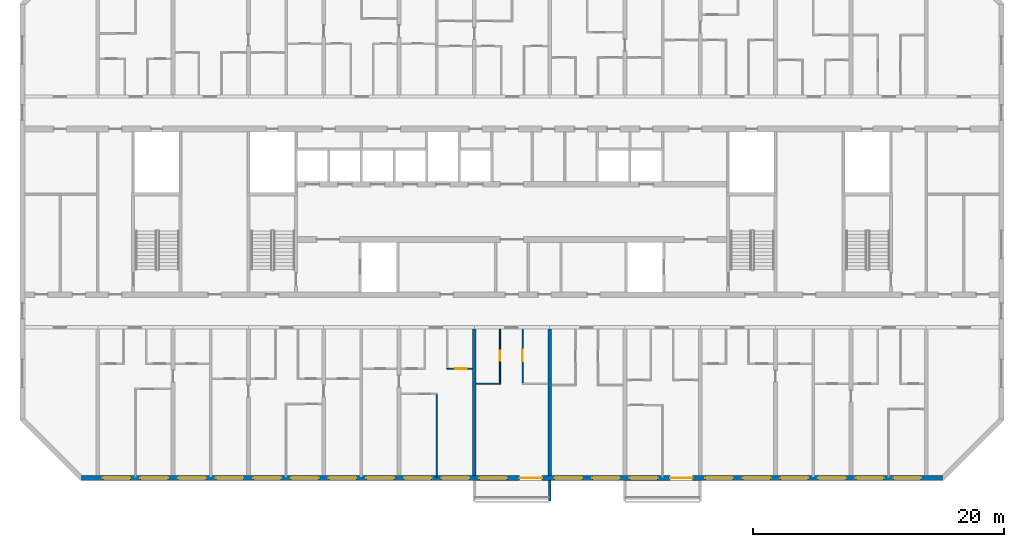
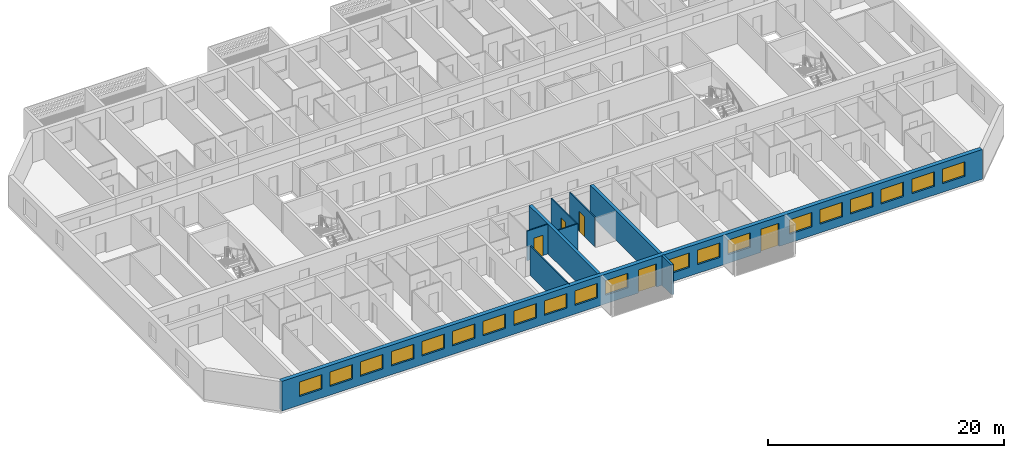
# One storey, part 4 of 31: 20 windows, 9 walls, 5 doors, 25 openings.
"""IFC4 building model written with IfcOpenShell, lengths in metres."""

from ifc_helpers import new_model, si_unit, direction, frame, frame_2d, origin, place, context, subcontext, project, spatial, polyline, rectangle, outline, extrude, source, transform, mapped, material, layer, layer_set, type_object, element, fill, save


model = new_model("IFC4")

# Units and contexts
model_context = context("Model", 3, precision=1e-05, world=origin(), true_north=direction((0.0, 1.0)))
body_context = subcontext(model_context, "Body", "Model", "MODEL_VIEW")
ifc_project = project(units=[si_unit("LENGTHUNIT", "METRE"), si_unit("AREAUNIT", "SQUARE_METRE"), si_unit("VOLUMEUNIT", "CUBIC_METRE"), si_unit("PLANEANGLEUNIT", "RADIAN"), si_unit("MASSUNIT", "GRAM", prefix="KILO")], contexts=[model_context])

# Site, building, storey
site_placement = place(None, origin())
site = spatial("IfcSite", under=ifc_project, at=site_placement, CompositionType="ELEMENT")
building_placement = place(site_placement, origin())
building = spatial("IfcBuilding", under=site, at=building_placement, Name="Poui Terraces", CompositionType="ELEMENT")
storey_placement = place(building_placement, frame((0.0, 0.0, 145.5)))
storey = spatial("IfcBuildingStorey", under=building, at=storey_placement, Name="L40", CompositionType="ELEMENT", Elevation=145.5)

# Walls
ifc_material_1 = material(Name="Concrete 65 MPa", Category="concrete")
ifc_layer_1 = layer(ifc_material_1, 0.300048828125)
ifc_layer_set_1 = layer_set([ifc_layer_1], Name="Concrete 65 MPa")
wall_type_1 = type_object("IfcWallType", Name="CROSS WALL 300 65MPa", PredefinedType="SHEAR", material=ifc_layer_set_1)
for number, where, z_axis, x_axis, name in (
    (1, (48.0, 0.199951171875, 0.0), (0.0, 0.0, 1.0), (0.0, 1.0, 0.0), "CROSS WALL LINE 9 SOUTH"),
    (2, (54.0, 0.199951171875, 0.0), (0.0, 0.0, 1.0), (0.0, 1.0, 0.0), "CROSS WALL LINE 10 SOUTH"),
):
    element("IfcWall", number, at=place(storey_placement, frame(where, z_axis=z_axis, x_axis=x_axis)), inside=storey, type_object=wall_type_1, Name=name, PredefinedType="SHEAR", context=body_context, shape_type="SweptSolid", body=[
        extrude(rectangle(XDim=11.675048828125, YDim=0.300048828125, at=frame_2d((5.83740234375, 0.0))), origin(), (0.0, 0.0, 1.0), 3.070068359375),
    ])

# Wall, openings, doors, windows
ifc_material_2 = material(Name="Precast concrete 40 MPa", Category="concrete")
ifc_layer_2 = layer(ifc_material_2, 0.39990234375)
ifc_layer_set_2 = layer_set([ifc_layer_2], Name="Precast concrete 40 MPa")
wall_type_2 = type_object("IfcWallType", Name="EXTERNAL WALL 400", PredefinedType="STANDARD", material=ifc_layer_set_2)
wall_1_placement = place(storey_placement, frame((16.682861328125, 0.0, 0.0), z_axis=(0.0, 0.0, 1.0), x_axis=(1.0, 0.0, 0.0)))
wall_1 = element("IfcWall", 3, at=wall_1_placement, inside=storey, type_object=wall_type_2, Name="EXTERNAL WALL S", PredefinedType="STANDARD", context=body_context, shape_type="SweptSolid", body=[
    extrude(rectangle(XDim=68.63427734375, YDim=0.39990234375, at=frame_2d((34.317138671875, 0.0))), origin(), (0.0, 0.0, 1.0), 3.070068359375),
])
opening_1_placement = place(wall_1_placement, frame((1.71728515625, 0.0, 0.89990234375)))
opening_1 = element("IfcOpeningElement", 4, at=opening_1_placement, cuts=wall_1, Name="Opening W1", PredefinedType="OPENING", context=body_context, shape_type="SweptSolid", body=[
    extrude(rectangle(XDim=2.199951171875, YDim=1.5, at=frame_2d((1.10009765625, 0.75))), frame((0.0, 0.2099609375, 0.0), z_axis=(0.0, -1.0, 0.0), x_axis=(1.0, 0.0, 0.0)), (0.0, 0.0, 1.0), 0.419921875),
])
opening_2_placement = place(wall_1_placement, frame((4.71728515625, 0.0, 0.89990234375)))
opening_2 = element("IfcOpeningElement", 5, at=opening_2_placement, cuts=wall_1, Name="Opening W1", PredefinedType="OPENING", context=body_context, shape_type="SweptSolid", body=[
    extrude(rectangle(XDim=2.199951171875, YDim=1.5, at=frame_2d((1.10009765625, 0.75))), frame((0.0, 0.2099609375, 0.0), z_axis=(0.0, -1.0, 0.0), x_axis=(1.0, 0.0, 0.0)), (0.0, 0.0, 1.0), 0.419921875),
])
opening_3_placement = place(wall_1_placement, frame((7.71728515625, 0.0, 0.89990234375)))
opening_3 = element("IfcOpeningElement", 6, at=opening_3_placement, cuts=wall_1, Name="Opening W1", PredefinedType="OPENING", context=body_context, shape_type="SweptSolid", body=[
    extrude(rectangle(XDim=2.199951171875, YDim=1.5, at=frame_2d((1.10009765625, 0.75))), frame((0.0, 0.2099609375, 0.0), z_axis=(0.0, -1.0, 0.0), x_axis=(1.0, 0.0, 0.0)), (0.0, 0.0, 1.0), 0.419921875),
])
opening_4_placement = place(wall_1_placement, frame((10.71728515625, 0.0, 0.89990234375)))
opening_4 = element("IfcOpeningElement", 7, at=opening_4_placement, cuts=wall_1, Name="Opening W1", PredefinedType="OPENING", context=body_context, shape_type="SweptSolid", body=[
    extrude(rectangle(XDim=2.199951171875, YDim=1.5, at=frame_2d((1.10009765625, 0.75))), frame((0.0, 0.2099609375, 0.0), z_axis=(0.0, -1.0, 0.0), x_axis=(1.0, 0.0, 0.0)), (0.0, 0.0, 1.0), 0.419921875),
])
opening_5_placement = place(wall_1_placement, frame((13.71728515625, 0.0, 0.89990234375)))
opening_5 = element("IfcOpeningElement", 8, at=opening_5_placement, cuts=wall_1, Name="Opening W1", PredefinedType="OPENING", context=body_context, shape_type="SweptSolid", body=[
    extrude(rectangle(XDim=2.199951171875, YDim=1.5, at=frame_2d((1.10009765625, 0.75))), frame((0.0, 0.2099609375, 0.0), z_axis=(0.0, -1.0, 0.0), x_axis=(1.0, 0.0, 0.0)), (0.0, 0.0, 1.0), 0.419921875),
])
opening_6_placement = place(wall_1_placement, frame((16.71728515625, 0.0, 0.89990234375)))
opening_6 = element("IfcOpeningElement", 9, at=opening_6_placement, cuts=wall_1, Name="Opening W1", PredefinedType="OPENING", context=body_context, shape_type="SweptSolid", body=[
    extrude(rectangle(XDim=2.199951171875, YDim=1.5, at=frame_2d((1.10009765625, 0.75))), frame((0.0, 0.2099609375, 0.0), z_axis=(0.0, -1.0, 0.0), x_axis=(1.0, 0.0, 0.0)), (0.0, 0.0, 1.0), 0.419921875),
])
opening_7_placement = place(wall_1_placement, frame((19.71728515625, 0.0, 0.89990234375)))
opening_7 = element("IfcOpeningElement", 10, at=opening_7_placement, cuts=wall_1, Name="Opening W1", PredefinedType="OPENING", context=body_context, shape_type="SweptSolid", body=[
    extrude(rectangle(XDim=2.199951171875, YDim=1.5, at=frame_2d((1.10009765625, 0.75))), frame((0.0, 0.2099609375, 0.0), z_axis=(0.0, -1.0, 0.0), x_axis=(1.0, 0.0, 0.0)), (0.0, 0.0, 1.0), 0.419921875),
])
opening_8_placement = place(wall_1_placement, frame((22.71728515625, 0.0, 0.89990234375)))
opening_8 = element("IfcOpeningElement", 11, at=opening_8_placement, cuts=wall_1, Name="Opening W1", PredefinedType="OPENING", context=body_context, shape_type="SweptSolid", body=[
    extrude(rectangle(XDim=2.199951171875, YDim=1.5, at=frame_2d((1.10009765625, 0.75))), frame((0.0, 0.2099609375, 0.0), z_axis=(0.0, -1.0, 0.0), x_axis=(1.0, 0.0, 0.0)), (0.0, 0.0, 1.0), 0.419921875),
])
opening_9_placement = place(wall_1_placement, frame((25.71728515625, 0.0, 0.89990234375)))
opening_9 = element("IfcOpeningElement", 12, at=opening_9_placement, cuts=wall_1, Name="Opening W1", PredefinedType="OPENING", context=body_context, shape_type="SweptSolid", body=[
    extrude(rectangle(XDim=2.199951171875, YDim=1.5, at=frame_2d((1.10009765625, 0.75))), frame((0.0, 0.2099609375, 0.0), z_axis=(0.0, -1.0, 0.0), x_axis=(1.0, 0.0, 0.0)), (0.0, 0.0, 1.0), 0.419921875),
])
opening_10_placement = place(wall_1_placement, frame((28.71728515625, 0.0, 0.89990234375)))
opening_10 = element("IfcOpeningElement", 13, at=opening_10_placement, cuts=wall_1, Name="Opening W1", PredefinedType="OPENING", context=body_context, shape_type="SweptSolid", body=[
    extrude(rectangle(XDim=2.199951171875, YDim=1.5, at=frame_2d((1.10009765625, 0.75))), frame((0.0, 0.2099609375, 0.0), z_axis=(0.0, -1.0, 0.0), x_axis=(1.0, 0.0, 0.0)), (0.0, 0.0, 1.0), 0.419921875),
])
opening_11_placement = place(wall_1_placement, frame((31.71728515625, 0.0, 0.89990234375)))
opening_11 = element("IfcOpeningElement", 14, at=opening_11_placement, cuts=wall_1, Name="Opening W1", PredefinedType="OPENING", context=body_context, shape_type="SweptSolid", body=[
    extrude(rectangle(XDim=2.199951171875, YDim=1.5, at=frame_2d((1.10009765625, 0.75))), frame((0.0, 0.2099609375, 0.0), z_axis=(0.0, -1.0, 0.0), x_axis=(1.0, 0.0, 0.0)), (0.0, 0.0, 1.0), 0.419921875),
])
opening_12_placement = place(wall_1_placement, frame((34.917236328125, 0.0, 0.0)))
opening_12 = element("IfcOpeningElement", 15, at=opening_12_placement, cuts=wall_1, Name="Opening BD1", PredefinedType="OPENING", context=body_context, shape_type="SweptSolid", body=[
    extrude(rectangle(XDim=1.800048828125, YDim=2.39990234375, at=frame_2d((0.89990234375, 1.199951171875))), frame((0.0, 0.2099609375, 0.0), z_axis=(0.0, -1.0, 0.0), x_axis=(1.0, 0.0, 0.0)), (0.0, 0.0, 1.0), 0.419921875),
])
opening_13_placement = place(wall_1_placement, frame((37.71728515625, 0.0, 0.89990234375)))
opening_13 = element("IfcOpeningElement", 16, at=opening_13_placement, cuts=wall_1, Name="Opening W1", PredefinedType="OPENING", context=body_context, shape_type="SweptSolid", body=[
    extrude(rectangle(XDim=2.199951171875, YDim=1.5, at=frame_2d((1.10009765625, 0.75))), frame((0.0, 0.2099609375, 0.0), z_axis=(0.0, -1.0, 0.0), x_axis=(1.0, 0.0, 0.0)), (0.0, 0.0, 1.0), 0.419921875),
])
opening_14_placement = place(wall_1_placement, frame((40.71728515625, 0.0, 0.89990234375)))
opening_14 = element("IfcOpeningElement", 17, at=opening_14_placement, cuts=wall_1, Name="Opening W1", PredefinedType="OPENING", context=body_context, shape_type="SweptSolid", body=[
    extrude(rectangle(XDim=2.199951171875, YDim=1.5, at=frame_2d((1.10009765625, 0.75))), frame((0.0, 0.2099609375, 0.0), z_axis=(0.0, -1.0, 0.0), x_axis=(1.0, 0.0, 0.0)), (0.0, 0.0, 1.0), 0.419921875),
])
opening_15_placement = place(wall_1_placement, frame((43.71728515625, 0.0, 0.89990234375)))
opening_15 = element("IfcOpeningElement", 18, at=opening_15_placement, cuts=wall_1, Name="Opening W1", PredefinedType="OPENING", context=body_context, shape_type="SweptSolid", body=[
    extrude(rectangle(XDim=2.199951171875, YDim=1.5, at=frame_2d((1.10009765625, 0.75))), frame((0.0, 0.2099609375, 0.0), z_axis=(0.0, -1.0, 0.0), x_axis=(1.0, 0.0, 0.0)), (0.0, 0.0, 1.0), 0.419921875),
])
opening_16_placement = place(wall_1_placement, frame((46.917236328125, 0.0, 0.0)))
opening_16 = element("IfcOpeningElement", 19, at=opening_16_placement, cuts=wall_1, Name="Opening BD1", PredefinedType="OPENING", context=body_context, shape_type="SweptSolid", body=[
    extrude(rectangle(XDim=1.800048828125, YDim=2.39990234375, at=frame_2d((0.89990234375, 1.199951171875))), frame((0.0, 0.2099609375, 0.0), z_axis=(0.0, -1.0, 0.0), x_axis=(1.0, 0.0, 0.0)), (0.0, 0.0, 1.0), 0.419921875),
])
opening_17_placement = place(wall_1_placement, frame((49.71728515625, 0.0, 0.89990234375)))
opening_17 = element("IfcOpeningElement", 20, at=opening_17_placement, cuts=wall_1, Name="Opening W1", PredefinedType="OPENING", context=body_context, shape_type="SweptSolid", body=[
    extrude(rectangle(XDim=2.199951171875, YDim=1.5, at=frame_2d((1.10009765625, 0.75))), frame((0.0, 0.2099609375, 0.0), z_axis=(0.0, -1.0, 0.0), x_axis=(1.0, 0.0, 0.0)), (0.0, 0.0, 1.0), 0.419921875),
])
opening_18_placement = place(wall_1_placement, frame((52.71728515625, 0.0, 0.89990234375)))
opening_18 = element("IfcOpeningElement", 21, at=opening_18_placement, cuts=wall_1, Name="Opening W1", PredefinedType="OPENING", context=body_context, shape_type="SweptSolid", body=[
    extrude(rectangle(XDim=2.199951171875, YDim=1.5, at=frame_2d((1.10009765625, 0.75))), frame((0.0, 0.2099609375, 0.0), z_axis=(0.0, -1.0, 0.0), x_axis=(1.0, 0.0, 0.0)), (0.0, 0.0, 1.0), 0.419921875),
])
opening_19_placement = place(wall_1_placement, frame((55.71728515625, 0.0, 0.89990234375)))
opening_19 = element("IfcOpeningElement", 22, at=opening_19_placement, cuts=wall_1, Name="Opening W1", PredefinedType="OPENING", context=body_context, shape_type="SweptSolid", body=[
    extrude(rectangle(XDim=2.199951171875, YDim=1.5, at=frame_2d((1.10009765625, 0.75))), frame((0.0, 0.2099609375, 0.0), z_axis=(0.0, -1.0, 0.0), x_axis=(1.0, 0.0, 0.0)), (0.0, 0.0, 1.0), 0.419921875),
])
opening_20_placement = place(wall_1_placement, frame((58.71728515625, 0.0, 0.89990234375)))
opening_20 = element("IfcOpeningElement", 23, at=opening_20_placement, cuts=wall_1, Name="Opening W1", PredefinedType="OPENING", context=body_context, shape_type="SweptSolid", body=[
    extrude(rectangle(XDim=2.199951171875, YDim=1.5, at=frame_2d((1.10009765625, 0.75))), frame((0.0, 0.2099609375, 0.0), z_axis=(0.0, -1.0, 0.0), x_axis=(1.0, 0.0, 0.0)), (0.0, 0.0, 1.0), 0.419921875),
])
opening_21_placement = place(wall_1_placement, frame((61.71728515625, 0.0, 0.89990234375)))
opening_21 = element("IfcOpeningElement", 24, at=opening_21_placement, cuts=wall_1, Name="Opening W1", PredefinedType="OPENING", context=body_context, shape_type="SweptSolid", body=[
    extrude(rectangle(XDim=2.199951171875, YDim=1.5, at=frame_2d((1.10009765625, 0.75))), frame((0.0, 0.2099609375, 0.0), z_axis=(0.0, -1.0, 0.0), x_axis=(1.0, 0.0, 0.0)), (0.0, 0.0, 1.0), 0.419921875),
])
opening_22_placement = place(wall_1_placement, frame((64.71728515625, 0.0, 0.89990234375)))
opening_22 = element("IfcOpeningElement", 25, at=opening_22_placement, cuts=wall_1, Name="Opening W1", PredefinedType="OPENING", context=body_context, shape_type="SweptSolid", body=[
    extrude(rectangle(XDim=2.199951171875, YDim=1.5, at=frame_2d((1.10009765625, 0.75))), frame((0.0, 0.2099609375, 0.0), z_axis=(0.0, -1.0, 0.0), x_axis=(1.0, 0.0, 0.0)), (0.0, 0.0, 1.0), 0.419921875),
])
ifc_material_3 = material(Name="Clear glass in aluminium frame", Category="aluminium")
door_type_1 = type_object("IfcDoorType", Name="BALCONY DOOR 1800X2400", OperationType="DOUBLE_DOOR_SLIDING", PredefinedType="DOOR", material=ifc_material_3)
door_1_placement = place(opening_12_placement, origin())
door_1 = element("IfcDoor", 26, at=door_1_placement, inside=storey, type_object=door_type_1, Name="BD1 BALCONY DOOR", OperationType="DOUBLE_DOOR_SLIDING", OverallHeight=2.39990234375, OverallWidth=1.800048828125, PredefinedType="DOOR", context=body_context, shape_type="SweptSolid", body=[
    extrude(rectangle(XDim=1.800048828125, YDim=2.39990234375, at=frame_2d((0.89990234375, 1.199951171875))), frame((0.0, 0.02490234375, 0.0), z_axis=(0.0, -1.0, 0.0), x_axis=(1.0, 0.0, 0.0)), (0.0, 0.0, 1.0), 0.050048828125),
])
fill(opening_12, door_1)
door_2_placement = place(opening_16_placement, origin())
door_2 = element("IfcDoor", 27, at=door_2_placement, inside=storey, type_object=door_type_1, Name="BD1 BALCONY DOOR", OperationType="DOUBLE_DOOR_SLIDING", OverallHeight=2.39990234375, OverallWidth=1.800048828125, PredefinedType="DOOR", context=body_context, shape_type="SweptSolid", body=[
    extrude(rectangle(XDim=1.800048828125, YDim=2.39990234375, at=frame_2d((0.89990234375, 1.199951171875))), frame((0.0, 0.02490234375, 0.0), z_axis=(0.0, -1.0, 0.0), x_axis=(1.0, 0.0, 0.0)), (0.0, 0.0, 1.0), 0.050048828125),
])
fill(opening_16, door_2)
window_type = type_object("IfcWindowType", Name="WINDOW 2200X1500", PartitioningType="DOUBLE_PANEL_HORIZONTAL", PredefinedType="WINDOW", material=ifc_material_3)
window_1_placement = place(opening_1_placement, origin())
window_1 = element("IfcWindow", 28, at=window_1_placement, inside=storey, type_object=window_type, Name="W1 WINDOW", OverallHeight=1.5, OverallWidth=2.199951171875, PartitioningType="DOUBLE_PANEL_HORIZONTAL", PredefinedType="WINDOW", context=body_context, shape_type="SweptSolid", body=[
    extrude(rectangle(XDim=2.199951171875, YDim=1.5, at=frame_2d((1.10009765625, 0.75))), frame((0.0, 0.030029296875, 0.0), z_axis=(0.0, -1.0, 0.0), x_axis=(1.0, 0.0, 0.0)), (0.0, 0.0, 1.0), 0.06005859375),
])
fill(opening_1, window_1)
window_2_placement = place(opening_2_placement, origin())
window_2 = element("IfcWindow", 29, at=window_2_placement, inside=storey, type_object=window_type, Name="W1 WINDOW", OverallHeight=1.5, OverallWidth=2.199951171875, PartitioningType="DOUBLE_PANEL_HORIZONTAL", PredefinedType="WINDOW", context=body_context, shape_type="SweptSolid", body=[
    extrude(rectangle(XDim=2.199951171875, YDim=1.5, at=frame_2d((1.10009765625, 0.75))), frame((0.0, 0.030029296875, 0.0), z_axis=(0.0, -1.0, 0.0), x_axis=(1.0, 0.0, 0.0)), (0.0, 0.0, 1.0), 0.06005859375),
])
fill(opening_2, window_2)
window_3_placement = place(opening_3_placement, origin())
window_3 = element("IfcWindow", 30, at=window_3_placement, inside=storey, type_object=window_type, Name="W1 WINDOW", OverallHeight=1.5, OverallWidth=2.199951171875, PartitioningType="DOUBLE_PANEL_HORIZONTAL", PredefinedType="WINDOW", context=body_context, shape_type="SweptSolid", body=[
    extrude(rectangle(XDim=2.199951171875, YDim=1.5, at=frame_2d((1.10009765625, 0.75))), frame((0.0, 0.030029296875, 0.0), z_axis=(0.0, -1.0, 0.0), x_axis=(1.0, 0.0, 0.0)), (0.0, 0.0, 1.0), 0.06005859375),
])
fill(opening_3, window_3)
window_4_placement = place(opening_4_placement, origin())
window_4 = element("IfcWindow", 31, at=window_4_placement, inside=storey, type_object=window_type, Name="W1 WINDOW", OverallHeight=1.5, OverallWidth=2.199951171875, PartitioningType="DOUBLE_PANEL_HORIZONTAL", PredefinedType="WINDOW", context=body_context, shape_type="SweptSolid", body=[
    extrude(rectangle(XDim=2.199951171875, YDim=1.5, at=frame_2d((1.10009765625, 0.75))), frame((0.0, 0.030029296875, 0.0), z_axis=(0.0, -1.0, 0.0), x_axis=(1.0, 0.0, 0.0)), (0.0, 0.0, 1.0), 0.06005859375),
])
fill(opening_4, window_4)
window_5_placement = place(opening_5_placement, origin())
window_5 = element("IfcWindow", 32, at=window_5_placement, inside=storey, type_object=window_type, Name="W1 WINDOW", OverallHeight=1.5, OverallWidth=2.199951171875, PartitioningType="DOUBLE_PANEL_HORIZONTAL", PredefinedType="WINDOW", context=body_context, shape_type="SweptSolid", body=[
    extrude(rectangle(XDim=2.199951171875, YDim=1.5, at=frame_2d((1.10009765625, 0.75))), frame((0.0, 0.030029296875, 0.0), z_axis=(0.0, -1.0, 0.0), x_axis=(1.0, 0.0, 0.0)), (0.0, 0.0, 1.0), 0.06005859375),
])
fill(opening_5, window_5)
window_6_placement = place(opening_6_placement, origin())
window_6 = element("IfcWindow", 33, at=window_6_placement, inside=storey, type_object=window_type, Name="W1 WINDOW", OverallHeight=1.5, OverallWidth=2.199951171875, PartitioningType="DOUBLE_PANEL_HORIZONTAL", PredefinedType="WINDOW", context=body_context, shape_type="SweptSolid", body=[
    extrude(rectangle(XDim=2.199951171875, YDim=1.5, at=frame_2d((1.10009765625, 0.75))), frame((0.0, 0.030029296875, 0.0), z_axis=(0.0, -1.0, 0.0), x_axis=(1.0, 0.0, 0.0)), (0.0, 0.0, 1.0), 0.06005859375),
])
fill(opening_6, window_6)
window_7_placement = place(opening_7_placement, origin())
window_7 = element("IfcWindow", 34, at=window_7_placement, inside=storey, type_object=window_type, Name="W1 WINDOW", OverallHeight=1.5, OverallWidth=2.199951171875, PartitioningType="DOUBLE_PANEL_HORIZONTAL", PredefinedType="WINDOW", context=body_context, shape_type="SweptSolid", body=[
    extrude(rectangle(XDim=2.199951171875, YDim=1.5, at=frame_2d((1.10009765625, 0.75))), frame((0.0, 0.030029296875, 0.0), z_axis=(0.0, -1.0, 0.0), x_axis=(1.0, 0.0, 0.0)), (0.0, 0.0, 1.0), 0.06005859375),
])
fill(opening_7, window_7)
window_8_placement = place(opening_8_placement, origin())
window_8 = element("IfcWindow", 35, at=window_8_placement, inside=storey, type_object=window_type, Name="W1 WINDOW", OverallHeight=1.5, OverallWidth=2.199951171875, PartitioningType="DOUBLE_PANEL_HORIZONTAL", PredefinedType="WINDOW", context=body_context, shape_type="SweptSolid", body=[
    extrude(rectangle(XDim=2.199951171875, YDim=1.5, at=frame_2d((1.10009765625, 0.75))), frame((0.0, 0.030029296875, 0.0), z_axis=(0.0, -1.0, 0.0), x_axis=(1.0, 0.0, 0.0)), (0.0, 0.0, 1.0), 0.06005859375),
])
fill(opening_8, window_8)
window_9_placement = place(opening_9_placement, origin())
window_9 = element("IfcWindow", 36, at=window_9_placement, inside=storey, type_object=window_type, Name="W1 WINDOW", OverallHeight=1.5, OverallWidth=2.199951171875, PartitioningType="DOUBLE_PANEL_HORIZONTAL", PredefinedType="WINDOW", context=body_context, shape_type="SweptSolid", body=[
    extrude(rectangle(XDim=2.199951171875, YDim=1.5, at=frame_2d((1.10009765625, 0.75))), frame((0.0, 0.030029296875, 0.0), z_axis=(0.0, -1.0, 0.0), x_axis=(1.0, 0.0, 0.0)), (0.0, 0.0, 1.0), 0.06005859375),
])
fill(opening_9, window_9)
window_10_placement = place(opening_10_placement, origin())
window_10 = element("IfcWindow", 37, at=window_10_placement, inside=storey, type_object=window_type, Name="W1 WINDOW", OverallHeight=1.5, OverallWidth=2.199951171875, PartitioningType="DOUBLE_PANEL_HORIZONTAL", PredefinedType="WINDOW", context=body_context, shape_type="SweptSolid", body=[
    extrude(rectangle(XDim=2.199951171875, YDim=1.5, at=frame_2d((1.10009765625, 0.75))), frame((0.0, 0.030029296875, 0.0), z_axis=(0.0, -1.0, 0.0), x_axis=(1.0, 0.0, 0.0)), (0.0, 0.0, 1.0), 0.06005859375),
])
fill(opening_10, window_10)
window_11_placement = place(opening_11_placement, origin())
window_11 = element("IfcWindow", 38, at=window_11_placement, inside=storey, type_object=window_type, Name="W1 WINDOW", OverallHeight=1.5, OverallWidth=2.199951171875, PartitioningType="DOUBLE_PANEL_HORIZONTAL", PredefinedType="WINDOW", context=body_context, shape_type="SweptSolid", body=[
    extrude(rectangle(XDim=2.199951171875, YDim=1.5, at=frame_2d((1.10009765625, 0.75))), frame((0.0, 0.030029296875, 0.0), z_axis=(0.0, -1.0, 0.0), x_axis=(1.0, 0.0, 0.0)), (0.0, 0.0, 1.0), 0.06005859375),
])
fill(opening_11, window_11)
window_12_placement = place(opening_13_placement, origin())
window_12 = element("IfcWindow", 39, at=window_12_placement, inside=storey, type_object=window_type, Name="W1 WINDOW", OverallHeight=1.5, OverallWidth=2.199951171875, PartitioningType="DOUBLE_PANEL_HORIZONTAL", PredefinedType="WINDOW", context=body_context, shape_type="SweptSolid", body=[
    extrude(rectangle(XDim=2.199951171875, YDim=1.5, at=frame_2d((1.10009765625, 0.75))), frame((0.0, 0.030029296875, 0.0), z_axis=(0.0, -1.0, 0.0), x_axis=(1.0, 0.0, 0.0)), (0.0, 0.0, 1.0), 0.06005859375),
])
fill(opening_13, window_12)
window_13_placement = place(opening_14_placement, origin())
window_13 = element("IfcWindow", 40, at=window_13_placement, inside=storey, type_object=window_type, Name="W1 WINDOW", OverallHeight=1.5, OverallWidth=2.199951171875, PartitioningType="DOUBLE_PANEL_HORIZONTAL", PredefinedType="WINDOW", context=body_context, shape_type="SweptSolid", body=[
    extrude(rectangle(XDim=2.199951171875, YDim=1.5, at=frame_2d((1.10009765625, 0.75))), frame((0.0, 0.030029296875, 0.0), z_axis=(0.0, -1.0, 0.0), x_axis=(1.0, 0.0, 0.0)), (0.0, 0.0, 1.0), 0.06005859375),
])
fill(opening_14, window_13)
window_14_placement = place(opening_15_placement, origin())
window_14 = element("IfcWindow", 41, at=window_14_placement, inside=storey, type_object=window_type, Name="W1 WINDOW", OverallHeight=1.5, OverallWidth=2.199951171875, PartitioningType="DOUBLE_PANEL_HORIZONTAL", PredefinedType="WINDOW", context=body_context, shape_type="SweptSolid", body=[
    extrude(rectangle(XDim=2.199951171875, YDim=1.5, at=frame_2d((1.10009765625, 0.75))), frame((0.0, 0.030029296875, 0.0), z_axis=(0.0, -1.0, 0.0), x_axis=(1.0, 0.0, 0.0)), (0.0, 0.0, 1.0), 0.06005859375),
])
fill(opening_15, window_14)
window_15_placement = place(opening_17_placement, origin())
window_15 = element("IfcWindow", 42, at=window_15_placement, inside=storey, type_object=window_type, Name="W1 WINDOW", OverallHeight=1.5, OverallWidth=2.199951171875, PartitioningType="DOUBLE_PANEL_HORIZONTAL", PredefinedType="WINDOW", context=body_context, shape_type="SweptSolid", body=[
    extrude(rectangle(XDim=2.199951171875, YDim=1.5, at=frame_2d((1.10009765625, 0.75))), frame((0.0, 0.030029296875, 0.0), z_axis=(0.0, -1.0, 0.0), x_axis=(1.0, 0.0, 0.0)), (0.0, 0.0, 1.0), 0.06005859375),
])
fill(opening_17, window_15)
window_16_placement = place(opening_18_placement, origin())
window_16 = element("IfcWindow", 43, at=window_16_placement, inside=storey, type_object=window_type, Name="W1 WINDOW", OverallHeight=1.5, OverallWidth=2.199951171875, PartitioningType="DOUBLE_PANEL_HORIZONTAL", PredefinedType="WINDOW", context=body_context, shape_type="SweptSolid", body=[
    extrude(rectangle(XDim=2.199951171875, YDim=1.5, at=frame_2d((1.10009765625, 0.75))), frame((0.0, 0.030029296875, 0.0), z_axis=(0.0, -1.0, 0.0), x_axis=(1.0, 0.0, 0.0)), (0.0, 0.0, 1.0), 0.06005859375),
])
fill(opening_18, window_16)
window_17_placement = place(opening_19_placement, origin())
window_17 = element("IfcWindow", 44, at=window_17_placement, inside=storey, type_object=window_type, Name="W1 WINDOW", OverallHeight=1.5, OverallWidth=2.199951171875, PartitioningType="DOUBLE_PANEL_HORIZONTAL", PredefinedType="WINDOW", context=body_context, shape_type="SweptSolid", body=[
    extrude(rectangle(XDim=2.199951171875, YDim=1.5, at=frame_2d((1.10009765625, 0.75))), frame((0.0, 0.030029296875, 0.0), z_axis=(0.0, -1.0, 0.0), x_axis=(1.0, 0.0, 0.0)), (0.0, 0.0, 1.0), 0.06005859375),
])
fill(opening_19, window_17)
window_18_placement = place(opening_20_placement, origin())
window_18 = element("IfcWindow", 45, at=window_18_placement, inside=storey, type_object=window_type, Name="W1 WINDOW", OverallHeight=1.5, OverallWidth=2.199951171875, PartitioningType="DOUBLE_PANEL_HORIZONTAL", PredefinedType="WINDOW", context=body_context, shape_type="SweptSolid", body=[
    extrude(rectangle(XDim=2.199951171875, YDim=1.5, at=frame_2d((1.10009765625, 0.75))), frame((0.0, 0.030029296875, 0.0), z_axis=(0.0, -1.0, 0.0), x_axis=(1.0, 0.0, 0.0)), (0.0, 0.0, 1.0), 0.06005859375),
])
fill(opening_20, window_18)
window_19_placement = place(opening_21_placement, origin())
window_19 = element("IfcWindow", 46, at=window_19_placement, inside=storey, type_object=window_type, Name="W1 WINDOW", OverallHeight=1.5, OverallWidth=2.199951171875, PartitioningType="DOUBLE_PANEL_HORIZONTAL", PredefinedType="WINDOW", context=body_context, shape_type="SweptSolid", body=[
    extrude(rectangle(XDim=2.199951171875, YDim=1.5, at=frame_2d((1.10009765625, 0.75))), frame((0.0, 0.030029296875, 0.0), z_axis=(0.0, -1.0, 0.0), x_axis=(1.0, 0.0, 0.0)), (0.0, 0.0, 1.0), 0.06005859375),
])
fill(opening_21, window_19)
window_20_placement = place(opening_22_placement, origin())
window_20 = element("IfcWindow", 47, at=window_20_placement, inside=storey, type_object=window_type, Name="W1 WINDOW", OverallHeight=1.5, OverallWidth=2.199951171875, PartitioningType="DOUBLE_PANEL_HORIZONTAL", PredefinedType="WINDOW", context=body_context, shape_type="SweptSolid", body=[
    extrude(rectangle(XDim=2.199951171875, YDim=1.5, at=frame_2d((1.10009765625, 0.75))), frame((0.0, 0.030029296875, 0.0), z_axis=(0.0, -1.0, 0.0), x_axis=(1.0, 0.0, 0.0)), (0.0, 0.0, 1.0), 0.06005859375),
])
fill(opening_22, window_20)

# Wall
ifc_material_4 = material(Name="Plasterboard partition")
ifc_layer_3 = layer(ifc_material_4, 0.10009765625)
ifc_layer_set_3 = layer_set([ifc_layer_3], Name="Plasterboard partition")
wall_type_3 = type_object("IfcWallType", Name="FLAT PARTITION 100", PredefinedType="PARTITIONING", material=ifc_layer_set_3)
wall_2_placement = place(storey_placement, frame((48.159912109375, 7.5, 0.0), z_axis=(0.0, 0.0, 1.0), x_axis=(1.0, 0.0, 0.0)))
element("IfcWall", 48, at=wall_2_placement, inside=storey, type_object=wall_type_3, Name="FLAT PARTITION 100", PredefinedType="PARTITIONING", context=body_context, shape_type="SweptSolid", body=[
    extrude(rectangle(XDim=1.940185546875, YDim=0.10009765625, at=frame_2d((0.97021484375, 0.0))), origin(), (0.0, 0.0, 1.0), 3.070068359375),
])

# Wall, opening, door
wall_3_placement = place(storey_placement, frame((45.800048828125, 8.699951171875, 0.0), z_axis=(0.0, 0.0, 1.0), x_axis=(1.0, 0.0, 0.0)))
wall_3 = element("IfcWall", 49, at=wall_3_placement, inside=storey, type_object=wall_type_3, Name="FLAT PARTITION 100", PredefinedType="PARTITIONING", context=body_context, shape_type="SweptSolid", body=[
    extrude(rectangle(XDim=2.0400390625, YDim=0.10009765625, at=frame_2d((1.02001953125, 0.0))), origin(), (0.0, 0.0, 1.0), 3.070068359375),
])
opening_23_placement = place(wall_3_placement, frame((0.675048828125, 0.0, 0.0)))
opening_23 = element("IfcOpeningElement", 50, at=opening_23_placement, cuts=wall_3, Name="Opening D90", PredefinedType="OPENING", context=body_context, shape_type="SweptSolid", body=[
    extrude(rectangle(XDim=0.89990234375, YDim=2.10009765625, at=frame_2d((0.449951171875, 1.050048828125))), frame((0.0, 0.06005859375, 0.0), z_axis=(0.0, -1.0, 0.0), x_axis=(1.0, 0.0, 0.0)), (0.0, 0.0, 1.0), 0.1201171875),
])
ifc_material_5 = material(Name="Solid core timber door", Category="wood")
door_type_2 = type_object("IfcDoorType", Name="INTERNAL DOOR 900 X 2100", OperationType="NOTDEFINED", PredefinedType="DOOR", material=ifc_material_5)
door_3_placement = place(opening_23_placement, origin())
door_3 = element("IfcDoor", 51, at=door_3_placement, inside=storey, type_object=door_type_2, Name="INTERNAL DOOR 097", OperationType="SINGLE_SWING_LEFT", OverallHeight=2.10009765625, OverallWidth=0.89990234375, PredefinedType="DOOR", context=body_context, shape_type="SweptSolid", body=[
    extrude(rectangle(XDim=0.89990234375, YDim=2.10009765625, at=frame_2d((0.449951171875, 1.050048828125))), frame((0.0, 0.02490234375, 0.0), z_axis=(0.0, -1.0, 0.0), x_axis=(1.0, 0.0, 0.0)), (0.0, 0.0, 1.0), 0.050048828125),
])
fill(opening_23, door_3)

# Wall
wall_4_placement = place(storey_placement, frame((45.0, 0.06005859375, 0.0), z_axis=(0.0, 0.0, 1.0), x_axis=(0.0, 1.0, 0.0)))
element("IfcWall", 52, at=wall_4_placement, inside=storey, type_object=wall_type_3, Name="FLAT PARTITION 100", PredefinedType="PARTITIONING", context=body_context, shape_type="SweptSolid", body=[
    extrude(rectangle(XDim=6.58984375, YDim=0.10009765625, at=frame_2d((3.294921875, 0.0))), origin(), (0.0, 0.0, 1.0), 3.070068359375),
])

# Wall, opening, door
wall_5_placement = place(storey_placement, frame((50.050048828125, 7.550048828125, 0.0), z_axis=(0.0, 0.0, 1.0), x_axis=(0.0, 1.0, 0.0)))
wall_5 = element("IfcWall", 53, at=wall_5_placement, inside=storey, type_object=wall_type_3, Name="FLAT PARTITION 100", PredefinedType="PARTITIONING", context=body_context, shape_type="SweptSolid", body=[
    extrude(rectangle(XDim=4.31494140625, YDim=0.10009765625, at=frame_2d((2.157470703125, 0.0))), origin(), (0.0, 0.0, 1.0), 3.070068359375),
])
opening_24_placement = place(wall_5_placement, frame((1.800048828125, 0.0, 0.0)))
opening_24 = element("IfcOpeningElement", 54, at=opening_24_placement, cuts=wall_5, Name="Opening D80", PredefinedType="OPENING", context=body_context, shape_type="SweptSolid", body=[
    extrude(rectangle(XDim=0.800048828125, YDim=2.10009765625, at=frame_2d((0.39990234375, 1.050048828125))), frame((0.0, 0.06005859375, 0.0), z_axis=(0.0, -1.0, 0.0), x_axis=(1.0, 0.0, 0.0)), (0.0, 0.0, 1.0), 0.1201171875),
])
door_type_3 = type_object("IfcDoorType", Name="BATHROOM, LAUNDRY AND STORE DOOR 800 X 2100", OperationType="NOTDEFINED", PredefinedType="DOOR", material=ifc_material_5)
door_4_placement = place(opening_24_placement, origin())
door_4 = element("IfcDoor", 55, at=door_4_placement, inside=storey, type_object=door_type_3, Name="BATHROOM, LAUNDRY AND STORE DOOR 098", OperationType="SINGLE_SWING_RIGHT", OverallHeight=2.10009765625, OverallWidth=0.800048828125, PredefinedType="DOOR", context=body_context, shape_type="SweptSolid", body=[
    extrude(rectangle(XDim=0.800048828125, YDim=2.10009765625, at=frame_2d((0.39990234375, 1.050048828125))), frame((0.0, 0.02490234375, 0.0), z_axis=(0.0, -1.0, 0.0), x_axis=(1.0, 0.0, 0.0)), (0.0, 0.0, 1.0), 0.050048828125),
])
fill(opening_24, door_4)

wall_6_placement = place(storey_placement, frame((51.85009765625, 7.550048828125, 0.0), z_axis=(0.0, 0.0, 1.0), x_axis=(0.0, 1.0, 0.0)))
wall_6 = element("IfcWall", 56, at=wall_6_placement, inside=storey, type_object=wall_type_3, Name="FLAT PARTITION 100", PredefinedType="PARTITIONING", context=body_context, shape_type="SweptSolid", body=[
    extrude(rectangle(XDim=4.31494140625, YDim=0.10009765625, at=frame_2d((2.157470703125, 0.0))), origin(), (0.0, 0.0, 1.0), 3.070068359375),
])
opening_25_placement = place(wall_6_placement, frame((1.75, 0.0, 0.0)))
opening_25 = element("IfcOpeningElement", 57, at=opening_25_placement, cuts=wall_6, Name="Opening D90", PredefinedType="OPENING", context=body_context, shape_type="SweptSolid", body=[
    extrude(rectangle(XDim=0.89990234375, YDim=2.10009765625, at=frame_2d((0.449951171875, 1.050048828125))), frame((0.0, 0.06005859375, 0.0), z_axis=(0.0, -1.0, 0.0), x_axis=(1.0, 0.0, 0.0)), (0.0, 0.0, 1.0), 0.1201171875),
])
door_5_placement = place(opening_25_placement, frame((0.89990234375, 0.0, 0.0), z_axis=(0.0, 0.0, 1.0), x_axis=(-1.0, 0.0, 0.0)))
door_5 = element("IfcDoor", 58, at=door_5_placement, inside=storey, type_object=door_type_2, Name="INTERNAL DOOR 100", OperationType="SINGLE_SWING_RIGHT", OverallHeight=2.10009765625, OverallWidth=0.89990234375, PredefinedType="DOOR", context=body_context, shape_type="SweptSolid", body=[
    extrude(rectangle(XDim=0.89990234375, YDim=2.10009765625, at=frame_2d((0.449951171875, 1.050048828125))), frame((0.0, 0.02490234375, 0.0), z_axis=(0.0, -1.0, 0.0), x_axis=(1.0, 0.0, 0.0)), (0.0, 0.0, 1.0), 0.050048828125),
])
fill(opening_25, door_5)

# Wall
ifc_layer_4 = layer(ifc_material_2, 0.199951171875)
ifc_layer_set_4 = layer_set([ifc_layer_4], Name="Precast concrete 40 MPa")
wall_type_4 = type_object("IfcWallType", Name="REAR FIN 200", PredefinedType="STANDARD", material=ifc_layer_set_4)
shared_shape = source(origin(), body_context, "Body", "SweptSolid", [
    extrude(outline(polyline([(0.0, 0.0), (0.2001953125, 0.0), (0.2001953125, 1.650146484375), (0.0, 1.650146484375), (0.0, 0.0)])), origin(), (0.0, 0.0, 1.0), 3.10009765625),
])
wall_7_placement = place(storey_placement, frame((53.89990234375, -1.85009765625, 0.0)))
element("IfcWall", 59, at=wall_7_placement, inside=storey, type_object=wall_type_4, Name="REAR FIN", PredefinedType="STANDARD", context=body_context, shape_type="MappedRepresentation", body=[
    mapped(shared_shape, transform((0.0, 0.0, 0.0))),
])

save(model, "model.ifc")
